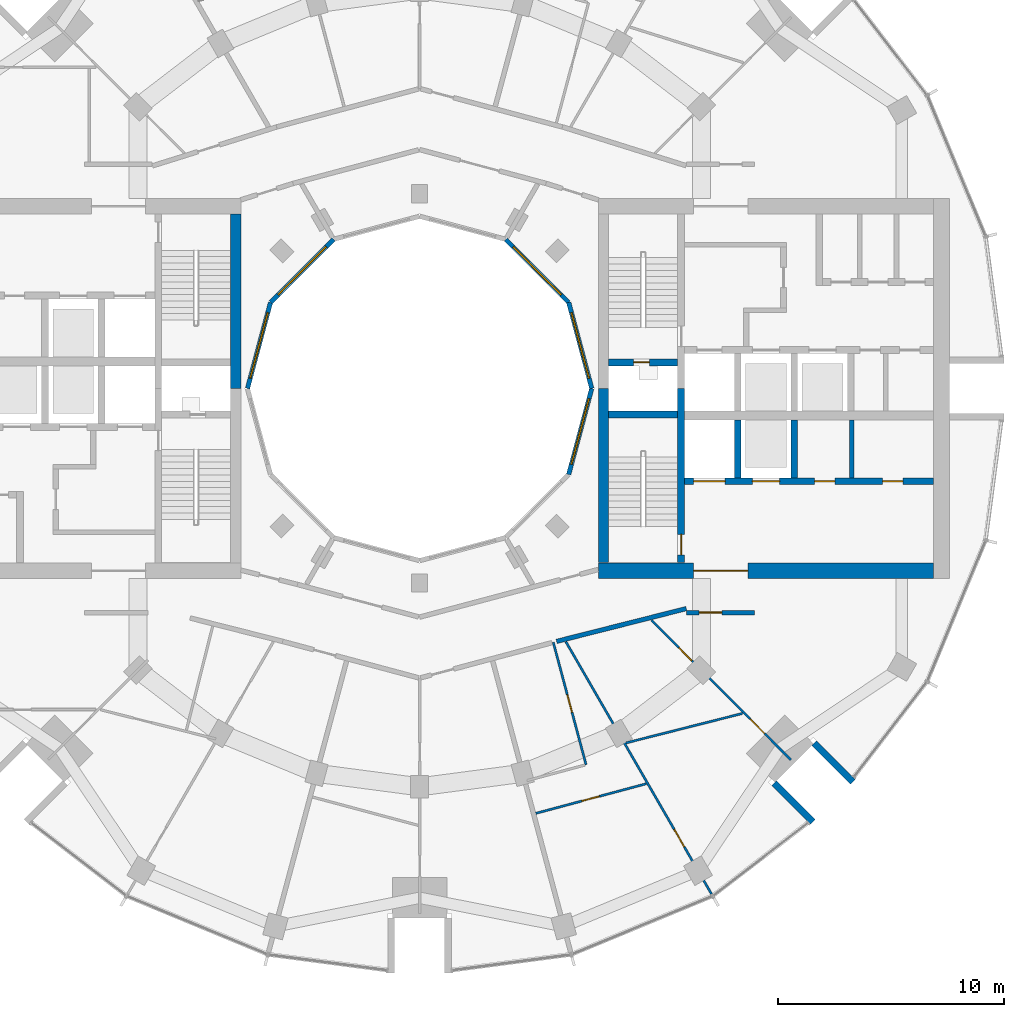
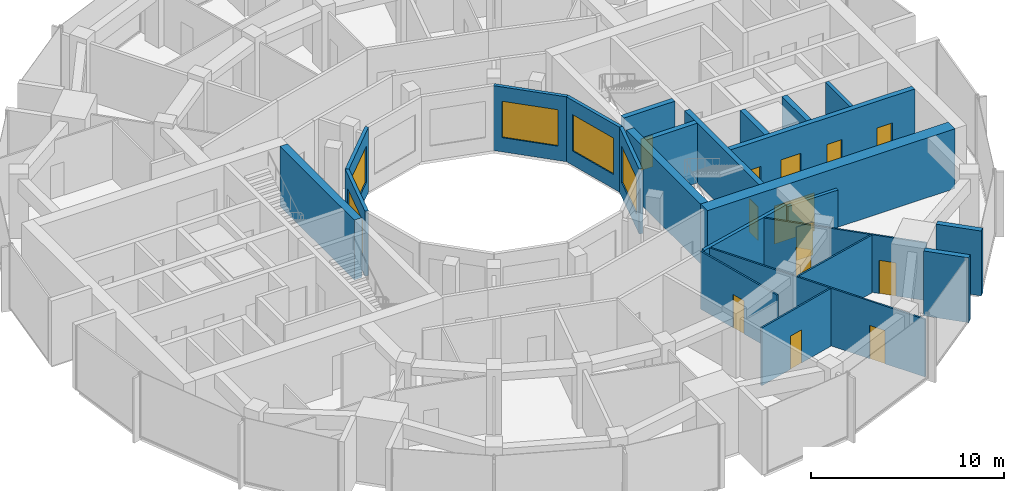
# One storey, part 10 of 15: 24 walls, 13 doors, 5 windows, 18 openings.
"""IFC4 building model written with IfcOpenShell, lengths in metres."""

from ifc_helpers import new_model, si_unit, direction, frame, frame_2d, origin, place, context, subcontext, project, spatial, rectangle, extrude, material, layer, layer_set, type_object, element, fill, save


model = new_model("IFC4")

# Units and contexts
model_context = context("Model", 3, precision=1e-05, world=origin(), true_north=direction((0.0, 1.0)))
body_context = subcontext(model_context, "Body", "Model", "MODEL_VIEW")
ifc_project = project(units=[si_unit("LENGTHUNIT", "METRE"), si_unit("AREAUNIT", "SQUARE_METRE"), si_unit("VOLUMEUNIT", "CUBIC_METRE"), si_unit("PLANEANGLEUNIT", "RADIAN"), si_unit("MASSUNIT", "GRAM", prefix="KILO")], contexts=[model_context])

# Site, building, storey
site_placement = place(None, origin())
site = spatial("IfcSite", under=ifc_project, at=site_placement, CompositionType="ELEMENT")
building_placement = place(site_placement, origin())
building = spatial("IfcBuilding", under=site, at=building_placement, Name="Torre Brocal", CompositionType="ELEMENT")
storey_placement = place(building_placement, frame((0.0, 0.0, 174.10009765625)))
storey = spatial("IfcBuildingStorey", under=building, at=storey_placement, Name="L40", CompositionType="ELEMENT", Elevation=174.10009765625)

# Wall
ifc_material_1 = material(Name="Masonry block", Category="masonry")
ifc_layer_1 = layer(ifc_material_1, 0.199951171875)
ifc_layer_set_1 = layer_set([ifc_layer_1], Name="Masonry block")
wall_type_1 = type_object("IfcWallType", Name="CORE PARTITION 200", PredefinedType="PARTITIONING", material=ifc_layer_set_1)
wall_1_placement = place(storey_placement, frame((99.10009765625, 71.050048828125, 0.0), z_axis=(0.0, 0.0, 1.0), x_axis=(0.0, 1.0, 0.0)))
element("IfcWall", 1, at=wall_1_placement, inside=storey, type_object=wall_type_1, Name="Wall CP200", PredefinedType="PARTITIONING", context=body_context, shape_type="SweptSolid", body=[
    extrude(rectangle(XDim=2.550048828125, YDim=0.199951171875, at=frame_2d((1.27490234375, 0.0))), origin(), (0.0, 0.0, 1.0), 3.77978515625),
])

# Wall, opening, door
ifc_material_2 = material(Name="Concrete C70", Category="concrete")
ifc_layer_2 = layer(ifc_material_2, 0.300048828125)
ifc_layer_set_2 = layer_set([ifc_layer_2], Name="Concrete C70")
wall_type_2 = type_object("IfcWallType", Name="CORE WALL 300 C70", PredefinedType="SHEAR", material=ifc_layer_set_2)
wall_2_placement = place(storey_placement, frame((91.550048828125, 67.300048828125, 0.0), z_axis=(0.0, 0.0, 1.0), x_axis=(0.0, 1.0, 0.0)))
wall_2 = element("IfcWall", 2, at=wall_2_placement, inside=storey, type_object=wall_type_2, Name="Wall CW300-70", PredefinedType="SHEAR", context=body_context, shape_type="SweptSolid", body=[
    extrude(rectangle(XDim=7.699951171875, YDim=0.300048828125, at=frame_2d((3.85009765625, 0.0))), origin(), (0.0, 0.0, 1.0), 3.77978515625),
])
opening_1_placement = place(wall_2_placement, frame((0.35009765625, 0.0, 0.0)))
opening_1 = element("IfcOpeningElement", 3, at=opening_1_placement, cuts=wall_2, Name="Opening E-D03", PredefinedType="OPENING", context=body_context, shape_type="SweptSolid", body=[
    extrude(rectangle(XDim=0.89990234375, YDim=2.10009765625, at=frame_2d((0.449951171875, 1.050048828125))), frame((0.0, 0.159912109375, 0.0), z_axis=(0.0, -1.0, 0.0), x_axis=(1.0, 0.0, 0.0)), (0.0, 0.0, 1.0), 0.320068359375),
])
ifc_material_3 = material(Name="Steel A653", Category="steel")
door_type_1 = type_object("IfcDoorType", Name="STAIR DOOR FD120 900X2100", OperationType="SINGLE_SWING_RIGHT", PredefinedType="DOOR", material=ifc_material_3)
door_1_placement = place(opening_1_placement, origin())
door_1 = element("IfcDoor", 4, at=door_1_placement, inside=storey, type_object=door_type_1, Name="Door E-D03", OperationType="SINGLE_SWING_LEFT", OverallHeight=2.10009765625, OverallWidth=0.89990234375, PredefinedType="DOOR", context=body_context, shape_type="SweptSolid", body=[
    extrude(rectangle(XDim=0.89990234375, YDim=2.10009765625, at=frame_2d((0.449951171875, 1.050048828125))), frame((0.0, 0.02490234375, 0.0), z_axis=(0.0, -1.0, 0.0), x_axis=(1.0, 0.0, 0.0)), (0.0, 0.0, 1.0), 0.050048828125),
])
fill(opening_1, door_1)

wall_3_placement = place(storey_placement, frame((88.35009765625, 76.14990234375, 0.0), z_axis=(0.0, 0.0, 1.0), x_axis=(1.0, 0.0, 0.0)))
wall_3 = element("IfcWall", 5, at=wall_3_placement, inside=storey, type_object=wall_type_2, Name="Wall CW300-70", PredefinedType="SHEAR", context=body_context, shape_type="SweptSolid", body=[
    extrude(rectangle(XDim=3.0498046875, YDim=0.300048828125, at=frame_2d((1.52490234375, 0.0))), origin(), (0.0, 0.0, 1.0), 3.77978515625),
])
opening_2_placement = place(wall_3_placement, frame((1.10009765625, 0.0, 0.0)))
opening_2 = element("IfcOpeningElement", 6, at=opening_2_placement, cuts=wall_3, Name="Opening E-D01", PredefinedType="OPENING", context=body_context, shape_type="SweptSolid", body=[
    extrude(rectangle(XDim=0.699951171875, YDim=2.0, at=frame_2d((0.35009765625, 1.0))), frame((0.0, 0.159912109375, 0.0), z_axis=(0.0, -1.0, 0.0), x_axis=(1.0, 0.0, 0.0)), (0.0, 0.0, 1.0), 0.320068359375),
])
ifc_material_4 = material(Name="Steel A653", Category="steel")
door_type_2 = type_object("IfcDoorType", Name="RISER DOOR FD120 700X2000", OperationType="SINGLE_SWING_LEFT", PredefinedType="DOOR", material=ifc_material_4)
door_2_placement = place(opening_2_placement, frame((0.699951171875, 0.0, 0.0), z_axis=(0.0, 0.0, 1.0), x_axis=(-1.0, 0.0, 0.0)))
door_2 = element("IfcDoor", 7, at=door_2_placement, inside=storey, type_object=door_type_2, Name="Door E-D01", OperationType="SINGLE_SWING_RIGHT", OverallHeight=2.0, OverallWidth=0.699951171875, PredefinedType="DOOR", context=body_context, shape_type="SweptSolid", body=[
    extrude(rectangle(XDim=0.699951171875, YDim=2.0, at=frame_2d((0.35009765625, 1.0))), frame((0.0, 0.02490234375, 0.0), z_axis=(0.0, -1.0, 0.0), x_axis=(1.0, 0.0, 0.0)), (0.0, 0.0, 1.0), 0.050048828125),
])
fill(opening_2, door_2)

# Wall
wall_4_placement = place(storey_placement, frame((88.35009765625, 73.85009765625, 0.0), z_axis=(0.0, 0.0, 1.0), x_axis=(1.0, 0.0, 0.0)))
element("IfcWall", 8, at=wall_4_placement, inside=storey, type_object=wall_type_2, Name="Wall CW300-70", PredefinedType="SHEAR", context=body_context, shape_type="SweptSolid", body=[
    extrude(rectangle(XDim=3.0498046875, YDim=0.300048828125, at=frame_2d((1.52490234375, 0.0))), origin(), (0.0, 0.0, 1.0), 3.77978515625),
])

# Wall, openings, doors
wall_5_placement = place(storey_placement, frame((91.699951171875, 70.89990234375, 0.0), z_axis=(0.0, 0.0, 1.0), x_axis=(1.0, 0.0, 0.0)))
wall_5 = element("IfcWall", 9, at=wall_5_placement, inside=storey, type_object=wall_type_2, Name="Wall CW300-70", PredefinedType="SHEAR", context=body_context, shape_type="SweptSolid", body=[
    extrude(rectangle(XDim=11.0, YDim=0.300048828125, at=frame_2d((5.5, 0.0))), origin(), (0.0, 0.0, 1.0), 3.77978515625),
])
opening_3_placement = place(wall_5_placement, frame((0.39990234375, 0.0, 0.0)))
opening_3 = element("IfcOpeningElement", 10, at=opening_3_placement, cuts=wall_5, Name="Opening LD14", PredefinedType="OPENING", context=body_context, shape_type="SweptSolid", body=[
    extrude(rectangle(XDim=1.39990234375, YDim=2.10009765625, at=frame_2d((0.699951171875, 1.050048828125))), frame((0.0, 0.159912109375, 0.0), z_axis=(0.0, -1.0, 0.0), x_axis=(1.0, 0.0, 0.0)), (0.0, 0.0, 1.0), 0.320068359375),
])
opening_4_placement = place(wall_5_placement, frame((3.0, 0.0, 0.0)))
opening_4 = element("IfcOpeningElement", 11, at=opening_4_placement, cuts=wall_5, Name="Opening LD12", PredefinedType="OPENING", context=body_context, shape_type="SweptSolid", body=[
    extrude(rectangle(XDim=1.199951171875, YDim=2.10009765625, at=frame_2d((0.60009765625, 1.050048828125))), frame((0.0, 0.159912109375, 0.0), z_axis=(0.0, -1.0, 0.0), x_axis=(1.0, 0.0, 0.0)), (0.0, 0.0, 1.0), 0.320068359375),
])
opening_5_placement = place(wall_5_placement, frame((5.75, 0.0, 0.0)))
opening_5 = element("IfcOpeningElement", 12, at=opening_5_placement, cuts=wall_5, Name="Opening E-D06", PredefinedType="OPENING", context=body_context, shape_type="SweptSolid", body=[
    extrude(rectangle(XDim=0.89990234375, YDim=2.10009765625, at=frame_2d((0.449951171875, 1.050048828125))), frame((0.0, 0.159912109375, 0.0), z_axis=(0.0, -1.0, 0.0), x_axis=(1.0, 0.0, 0.0)), (0.0, 0.0, 1.0), 0.320068359375),
])
opening_6_placement = place(wall_5_placement, frame((8.75, 0.0, 0.0)))
opening_6 = element("IfcOpeningElement", 13, at=opening_6_placement, cuts=wall_5, Name="Opening E-D07", PredefinedType="OPENING", context=body_context, shape_type="SweptSolid", body=[
    extrude(rectangle(XDim=0.89990234375, YDim=2.10009765625, at=frame_2d((0.449951171875, 1.050048828125))), frame((0.0, 0.159912109375, 0.0), z_axis=(0.0, -1.0, 0.0), x_axis=(1.0, 0.0, 0.0)), (0.0, 0.0, 1.0), 0.320068359375),
])
ifc_material_5 = material(Name="Stainless steel AISI 316", Category="steel")
door_type_3 = type_object("IfcDoorType", Name="LIFT LANDING DOOR 1200X2100", OperationType="DOUBLE_DOOR_SLIDING", PredefinedType="DOOR", material=ifc_material_5)
door_3_placement = place(opening_4_placement, origin())
door_3 = element("IfcDoor", 14, at=door_3_placement, inside=storey, type_object=door_type_3, Name="Door LD12", OperationType="DOUBLE_DOOR_SLIDING", OverallHeight=2.10009765625, OverallWidth=1.199951171875, PredefinedType="DOOR", context=body_context, shape_type="SweptSolid", body=[
    extrude(rectangle(XDim=1.199951171875, YDim=2.10009765625, at=frame_2d((0.60009765625, 1.050048828125))), frame((0.0, 0.02490234375, 0.0), z_axis=(0.0, -1.0, 0.0), x_axis=(1.0, 0.0, 0.0)), (0.0, 0.0, 1.0), 0.050048828125),
])
fill(opening_4, door_3)
ifc_material_6 = material(Name="Stainless steel AISI 316", Category="steel")
door_type_4 = type_object("IfcDoorType", Name="LIFT LANDING DOOR 1400X2100", OperationType="DOUBLE_DOOR_SLIDING", PredefinedType="DOOR", material=ifc_material_6)
door_4_placement = place(opening_3_placement, origin())
door_4 = element("IfcDoor", 15, at=door_4_placement, inside=storey, type_object=door_type_4, Name="Door LD14", OperationType="DOUBLE_DOOR_SLIDING", OverallHeight=2.10009765625, OverallWidth=1.39990234375, PredefinedType="DOOR", context=body_context, shape_type="SweptSolid", body=[
    extrude(rectangle(XDim=1.39990234375, YDim=2.10009765625, at=frame_2d((0.699951171875, 1.050048828125))), frame((0.0, 0.02490234375, 0.0), z_axis=(0.0, -1.0, 0.0), x_axis=(1.0, 0.0, 0.0)), (0.0, 0.0, 1.0), 0.050048828125),
])
fill(opening_3, door_4)
ifc_material_7 = material(Name="Steel A653", Category="steel")
door_type_5 = type_object("IfcDoorType", Name="ROOM DOOR FD30S 900X2100", OperationType="SINGLE_SWING_LEFT", PredefinedType="DOOR", material=ifc_material_7)
door_5_placement = place(opening_5_placement, origin())
door_5 = element("IfcDoor", 16, at=door_5_placement, inside=storey, type_object=door_type_5, Name="Door E-D06", OperationType="SINGLE_SWING_RIGHT", OverallHeight=2.10009765625, OverallWidth=0.89990234375, PredefinedType="DOOR", context=body_context, shape_type="SweptSolid", body=[
    extrude(rectangle(XDim=0.89990234375, YDim=2.10009765625, at=frame_2d((0.449951171875, 1.050048828125))), frame((0.0, 0.02490234375, 0.0), z_axis=(0.0, -1.0, 0.0), x_axis=(1.0, 0.0, 0.0)), (0.0, 0.0, 1.0), 0.050048828125),
])
fill(opening_5, door_5)
door_6_placement = place(opening_6_placement, origin())
door_6 = element("IfcDoor", 17, at=door_6_placement, inside=storey, type_object=door_type_5, Name="Door E-D07", OperationType="SINGLE_SWING_LEFT", OverallHeight=2.10009765625, OverallWidth=0.89990234375, PredefinedType="DOOR", context=body_context, shape_type="SweptSolid", body=[
    extrude(rectangle(XDim=0.89990234375, YDim=2.10009765625, at=frame_2d((0.449951171875, 1.050048828125))), frame((0.0, 0.02490234375, 0.0), z_axis=(0.0, -1.0, 0.0), x_axis=(1.0, 0.0, 0.0)), (0.0, 0.0, 1.0), 0.050048828125),
])
fill(opening_6, door_6)

# Walls
for number, where, z_axis, x_axis, name in (
    (18, (94.050048828125, 71.050048828125, 0.0), (0.0, 0.0, 1.0), (0.0, 1.0, 0.0), "Wall CW300-70"),
    (19, (96.550048828125, 71.050048828125, 0.0), (0.0, 0.0, 1.0), (0.0, 1.0, 0.0), "Wall CW300-70"),
):
    element("IfcWall", number, at=place(storey_placement, frame(where, z_axis=z_axis, x_axis=x_axis)), inside=storey, type_object=wall_type_2, Name=name, PredefinedType="SHEAR", context=body_context, shape_type="SweptSolid", body=[
        extrude(rectangle(XDim=2.550048828125, YDim=0.300048828125, at=frame_2d((1.27490234375, 0.0))), origin(), (0.0, 0.0, 1.0), 3.77978515625),
    ])
ifc_material_8 = material(Name="Concrete C70", Category="concrete")
ifc_layer_3 = layer(ifc_material_8, 0.449951171875)
ifc_layer_set_3 = layer_set([ifc_layer_3], Name="Concrete C70")
wall_type_3 = type_object("IfcWallType", Name="CORE WALL 450 C70", PredefinedType="SHEAR", material=ifc_layer_set_3)
for number, where, z_axis, x_axis, name in (
    (20, (88.125, 67.300048828125, 0.0), (0.0, 0.0, 1.0), (0.0, 1.0, 0.0), "Wall CW450-70"),
    (21, (71.875, 82.699951171875, 0.0), (0.0, 0.0, 1.0), (0.0, -1.0, 0.0), "Wall CW450-70"),
):
    element("IfcWall", number, at=place(storey_placement, frame(where, z_axis=z_axis, x_axis=x_axis)), inside=storey, type_object=wall_type_3, Name=name, PredefinedType="SHEAR", context=body_context, shape_type="SweptSolid", body=[
        extrude(rectangle(XDim=7.699951171875, YDim=0.449951171875, at=frame_2d((3.85009765625, 0.0))), origin(), (0.0, 0.0, 1.0), 3.77978515625),
    ])

# Wall, opening, door
ifc_material_9 = material(Name="Concrete C70", Category="concrete")
ifc_layer_4 = layer(ifc_material_9, 0.699951171875)
ifc_layer_set_4 = layer_set([ifc_layer_4], Name="Concrete C70")
wall_type_4 = type_object("IfcWallType", Name="CORE WALL 700 C70", PredefinedType="SHEAR", material=ifc_layer_set_4)
wall_6_placement = place(storey_placement, frame((87.89990234375, 66.949951171875, 0.0), z_axis=(0.0, 0.0, 1.0), x_axis=(1.0, 0.0, 0.0)))
wall_6 = element("IfcWall", 22, at=wall_6_placement, inside=storey, type_object=wall_type_4, Name="Wall CW700-70", PredefinedType="SHEAR", context=body_context, shape_type="SweptSolid", body=[
    extrude(rectangle(XDim=14.800048828125, YDim=0.699951171875, at=frame_2d((7.39990234375, 0.0))), origin(), (0.0, 0.0, 1.0), 3.77978515625),
])
opening_7_placement = place(wall_6_placement, frame((4.199951171875, 0.0, 0.0)))
opening_7 = element("IfcOpeningElement", 23, at=opening_7_placement, cuts=wall_6, Name="Opening E-D13", PredefinedType="OPENING", context=body_context, shape_type="SweptSolid", body=[
    extrude(rectangle(XDim=2.39990234375, YDim=2.39990234375, at=frame_2d((1.199951171875, 1.199951171875))), frame((0.0, 0.35986328125, 0.0), z_axis=(0.0, -1.0, 0.0), x_axis=(1.0, 0.0, 0.0)), (0.0, 0.0, 1.0), 0.719970703125),
])
ifc_material_10 = material(Name="Steel A653", Category="steel")
door_type_6 = type_object("IfcDoorType", Name="DOUBLE FIRE DOOR FD90 2400X2400", OperationType="DOUBLE_DOOR_SINGLE_SWING", PredefinedType="DOOR", material=ifc_material_10)
door_7_placement = place(opening_7_placement, origin())
door_7 = element("IfcDoor", 24, at=door_7_placement, inside=storey, type_object=door_type_6, Name="Door E-D13", OperationType="DOUBLE_DOOR_SINGLE_SWING", OverallHeight=2.39990234375, OverallWidth=2.39990234375, PredefinedType="DOOR", context=body_context, shape_type="SweptSolid", body=[
    extrude(rectangle(XDim=2.39990234375, YDim=2.39990234375, at=frame_2d((1.199951171875, 1.199951171875))), frame((0.0, 0.02490234375, 0.0), z_axis=(0.0, -1.0, 0.0), x_axis=(1.0, 0.0, 0.0)), (0.0, 0.0, 1.0), 0.050048828125),
])
fill(opening_7, door_7)

# Walls
ifc_material_11 = material(Name="Concrete C70", Category="concrete")
ifc_layer_5 = layer(ifc_material_11, 0.300048828125)
ifc_layer_set_5 = layer_set([ifc_layer_5], Name="Concrete C70")
wall_type_5 = type_object("IfcWallType", Name="NOTCH RETURN WALL 300 C70", PredefinedType="NOTDEFINED", material=ifc_layer_set_5)
for number, where, z_axis, x_axis, name in (
    (25, (95.662353515625, 57.56982421875, 0.0), (0.0, 0.0, 1.0), (0.707106781187, -0.707106781187, 0.0), "NOTCH RETURN WALL"),
    (26, (97.43017578125, 59.337646484375, 0.0), (0.0, 0.0, 1.0), (0.707106781187, -0.707106781187, 0.0), "NOTCH RETURN WALL"),
):
    element("IfcWall", number, at=place(storey_placement, frame(where, z_axis=z_axis, x_axis=x_axis)), inside=storey, type_object=wall_type_5, Name=name, PredefinedType="NOTDEFINED", context=body_context, shape_type="SweptSolid", body=[
        extrude(rectangle(XDim=2.415771484375, YDim=0.300048828125, at=frame_2d((1.2080078125, 0.0))), origin(), (0.0, 0.0, 1.0), 4.099853515625),
    ])

# Wall, opening, door
ifc_material_12 = material(Name="Gypsum board", Category="Gypsum")
ifc_layer_6 = layer(ifc_material_12, 0.10009765625)
ifc_layer_set_6 = layer_set([ifc_layer_6], Name="Gypsum board")
wall_type_6 = type_object("IfcWallType", Name="PARTITION 100", PredefinedType="PARTITIONING", material=ifc_layer_set_6)
wall_7_placement = place(storey_placement, frame((85.133544921875, 56.22900390625, 0.0), z_axis=(0.0, 0.0, 1.0), x_axis=(0.965894130068, 0.258937308051, 0.0)))
wall_7 = element("IfcWall", 27, at=wall_7_placement, inside=storey, type_object=wall_type_6, Name="BATHROOM WALL", PredefinedType="PARTITIONING", context=body_context, shape_type="SweptSolid", body=[
    extrude(rectangle(XDim=5.0537109375, YDim=0.10009765625, at=frame_2d((2.52685546875, 0.0))), origin(), (0.0, 0.0, 1.0), 3.64990234375),
])
opening_8_placement = place(wall_7_placement, frame((2.10693359375, 0.0, 0.0)))
opening_8 = element("IfcOpeningElement", 28, at=opening_8_placement, cuts=wall_7, Name="Opening R02-D24", PredefinedType="OPENING", context=body_context, shape_type="SweptSolid", body=[
    extrude(rectangle(XDim=0.800048828125, YDim=2.10009765625, at=frame_2d((0.39990234375, 1.050048828125))), frame((0.0, 0.06005859375, 0.0), z_axis=(0.0, -1.0, 0.0), x_axis=(1.0, 0.0, 0.0)), (0.0, 0.0, 1.0), 0.1201171875),
])
ifc_material_13 = material(Name="Timber", Category="wood")
door_type_7 = type_object("IfcDoorType", Name="BATHROOM DOOR 800X2100", OperationType="SINGLE_SWING_LEFT", PredefinedType="DOOR", material=ifc_material_13)
door_8_placement = place(opening_8_placement, frame((0.800048828125, 0.0, 0.0), z_axis=(0.0, 0.0, 1.0), x_axis=(-1.0, 0.0, 0.0)))
door_8 = element("IfcDoor", 29, at=door_8_placement, inside=storey, type_object=door_type_7, Name="R02-D24", OperationType="SINGLE_SWING_RIGHT", OverallHeight=2.10009765625, OverallWidth=0.800048828125, PredefinedType="DOOR", context=body_context, shape_type="SweptSolid", body=[
    extrude(rectangle(XDim=0.800048828125, YDim=2.10009765625, at=frame_2d((0.39990234375, 1.050048828125))), frame((0.0, 0.02490234375, 0.0), z_axis=(0.0, -1.0, 0.0), x_axis=(1.0, 0.0, 0.0)), (0.0, 0.0, 1.0), 0.050048828125),
])
fill(opening_8, door_8)

wall_8_placement = place(storey_placement, frame((85.904052734375, 63.785888671875, 0.0), z_axis=(0.0, 0.0, 1.0), x_axis=(0.258761510459, -0.965941240814, 0.0)))
wall_8 = element("IfcWall", 30, at=wall_8_placement, inside=storey, type_object=wall_type_6, Name="BATHROOM WALL", PredefinedType="PARTITIONING", context=body_context, shape_type="SweptSolid", body=[
    extrude(rectangle(XDim=5.599609375, YDim=0.10009765625, at=frame_2d((2.7998046875, 0.0))), origin(), (0.0, 0.0, 1.0), 3.64990234375),
])
opening_9_placement = place(wall_8_placement, frame((2.39990234375, 0.0, 0.0)))
opening_9 = element("IfcOpeningElement", 31, at=opening_9_placement, cuts=wall_8, Name="Opening R02-D23", PredefinedType="OPENING", context=body_context, shape_type="SweptSolid", body=[
    extrude(rectangle(XDim=0.800048828125, YDim=2.10009765625, at=frame_2d((0.39990234375, 1.050048828125))), frame((0.0, 0.06005859375, 0.0), z_axis=(0.0, -1.0, 0.0), x_axis=(1.0, 0.0, 0.0)), (0.0, 0.0, 1.0), 0.1201171875),
])
door_9_placement = place(opening_9_placement, frame((0.800048828125, 0.0, 0.0), z_axis=(0.0, 0.0, 1.0), x_axis=(-1.0, 0.0, 0.0)))
door_9 = element("IfcDoor", 32, at=door_9_placement, inside=storey, type_object=door_type_7, Name="R02-D23", OperationType="SINGLE_SWING_RIGHT", OverallHeight=2.10009765625, OverallWidth=0.800048828125, PredefinedType="DOOR", context=body_context, shape_type="SweptSolid", body=[
    extrude(rectangle(XDim=0.800048828125, YDim=2.10009765625, at=frame_2d((0.39990234375, 1.050048828125))), frame((0.0, 0.02490234375, 0.0), z_axis=(0.0, -1.0, 0.0), x_axis=(1.0, 0.0, 0.0)), (0.0, 0.0, 1.0), 0.050048828125),
])
fill(opening_9, door_9)

wall_9_placement = place(storey_placement, frame((86.461181640625, 63.81005859375, 0.0), z_axis=(0.0, 0.0, 1.0), x_axis=(0.49994840431, -0.866055190521, 0.0)))
wall_9 = element("IfcWall", 33, at=wall_9_placement, inside=storey, type_object=wall_type_6, Name="BATHROOM WALL", PredefinedType="PARTITIONING", context=body_context, shape_type="SweptSolid", body=[
    extrude(rectangle(XDim=12.876220703125, YDim=0.10009765625, at=frame_2d((6.43798828125, 0.0))), origin(), (0.0, 0.0, 1.0), 3.64990234375),
])
opening_10_placement = place(wall_9_placement, frame((9.565185546875, 0.0, 0.0)))
opening_10 = element("IfcOpeningElement", 34, at=opening_10_placement, cuts=wall_9, Name="Opening R02-D22", PredefinedType="OPENING", context=body_context, shape_type="SweptSolid", body=[
    extrude(rectangle(XDim=0.89990234375, YDim=2.10009765625, at=frame_2d((0.449951171875, 1.050048828125))), frame((0.0, 0.06005859375, 0.0), z_axis=(0.0, -1.0, 0.0), x_axis=(1.0, 0.0, 0.0)), (0.0, 0.0, 1.0), 0.1201171875),
])
ifc_material_14 = material(Name="Timber", Category="wood")
door_type_8 = type_object("IfcDoorType", Name="ROOM DOOR 900X2100", OperationType="SINGLE_SWING_LEFT", PredefinedType="DOOR", material=ifc_material_14)
door_10_placement = place(opening_10_placement, origin())
door_10 = element("IfcDoor", 35, at=door_10_placement, inside=storey, type_object=door_type_8, Name="R02-D22", OperationType="SINGLE_SWING_RIGHT", OverallHeight=2.10009765625, OverallWidth=0.89990234375, PredefinedType="DOOR", context=body_context, shape_type="SweptSolid", body=[
    extrude(rectangle(XDim=0.89990234375, YDim=2.10009765625, at=frame_2d((0.449951171875, 1.050048828125))), frame((0.0, 0.02490234375, 0.0), z_axis=(0.0, -1.0, 0.0), x_axis=(1.0, 0.0, 0.0)), (0.0, 0.0, 1.0), 0.050048828125),
])
fill(opening_10, door_10)

# Wall
wall_10_placement = place(storey_placement, frame((89.109130859375, 59.338623046875, 0.0), z_axis=(0.0, 0.0, 1.0), x_axis=(0.969449434389, 0.245291243552, 0.0)))
element("IfcWall", 36, at=wall_10_placement, inside=storey, type_object=wall_type_6, Name="BATHROOM WALL", PredefinedType="PARTITIONING", context=body_context, shape_type="SweptSolid", body=[
    extrude(rectangle(XDim=5.31396484375, YDim=0.10009765625, at=frame_2d((2.656982421875, 0.0))), origin(), (0.0, 0.0, 1.0), 3.64990234375),
])

# Wall, openings, doors
wall_11_placement = place(storey_placement, frame((90.238037109375, 64.760009765625, 0.0), z_axis=(0.0, 0.0, 1.0), x_axis=(0.707022780144, -0.707190772251, 0.0)))
wall_11 = element("IfcWall", 37, at=wall_11_placement, inside=storey, type_object=wall_type_6, Name="BATHROOM WALL", PredefinedType="PARTITIONING", context=body_context, shape_type="SweptSolid", body=[
    extrude(rectangle(XDim=8.7197265625, YDim=0.10009765625, at=frame_2d((4.35986328125, 0.0))), origin(), (0.0, 0.0, 1.0), 3.64990234375),
])
opening_11_placement = place(wall_11_placement, frame((6.172119140625, 0.0, 0.0)))
opening_11 = element("IfcOpeningElement", 38, at=opening_11_placement, cuts=wall_11, Name="Opening R02-D20", PredefinedType="OPENING", context=body_context, shape_type="SweptSolid", body=[
    extrude(rectangle(XDim=0.89990234375, YDim=2.10009765625, at=frame_2d((0.449951171875, 1.050048828125))), frame((0.0, 0.06005859375, 0.0), z_axis=(0.0, -1.0, 0.0), x_axis=(1.0, 0.0, 0.0)), (0.0, 0.0, 1.0), 0.1201171875),
])
opening_12_placement = place(wall_11_placement, frame((1.722412109375, 0.0, 0.0)))
opening_12 = element("IfcOpeningElement", 39, at=opening_12_placement, cuts=wall_11, Name="Opening R02-D21", PredefinedType="OPENING", context=body_context, shape_type="SweptSolid", body=[
    extrude(rectangle(XDim=0.800048828125, YDim=2.10009765625, at=frame_2d((0.39990234375, 1.050048828125))), frame((0.0, 0.06005859375, 0.0), z_axis=(0.0, -1.0, 0.0), x_axis=(1.0, 0.0, 0.0)), (0.0, 0.0, 1.0), 0.1201171875),
])
door_11_placement = place(opening_12_placement, frame((0.800048828125, 0.0, 0.0), z_axis=(0.0, 0.0, 1.0), x_axis=(-1.0, 0.0, 0.0)))
door_11 = element("IfcDoor", 40, at=door_11_placement, inside=storey, type_object=door_type_7, Name="R02-D21", OperationType="SINGLE_SWING_RIGHT", OverallHeight=2.10009765625, OverallWidth=0.800048828125, PredefinedType="DOOR", context=body_context, shape_type="SweptSolid", body=[
    extrude(rectangle(XDim=0.800048828125, YDim=2.10009765625, at=frame_2d((0.39990234375, 1.050048828125))), frame((0.0, 0.02490234375, 0.0), z_axis=(0.0, -1.0, 0.0), x_axis=(1.0, 0.0, 0.0)), (0.0, 0.0, 1.0), 0.050048828125),
])
fill(opening_12, door_11)
door_12_placement = place(opening_11_placement, origin())
door_12 = element("IfcDoor", 41, at=door_12_placement, inside=storey, type_object=door_type_8, Name="R02-D20", OperationType="SINGLE_SWING_RIGHT", OverallHeight=2.10009765625, OverallWidth=0.89990234375, PredefinedType="DOOR", context=body_context, shape_type="SweptSolid", body=[
    extrude(rectangle(XDim=0.89990234375, YDim=2.10009765625, at=frame_2d((0.449951171875, 1.050048828125))), frame((0.0, 0.02490234375, 0.0), z_axis=(0.0, -1.0, 0.0), x_axis=(1.0, 0.0, 0.0)), (0.0, 0.0, 1.0), 0.050048828125),
])
fill(opening_11, door_12)

# Wall
ifc_material_15 = material(Name="Gypsum board", Category="Gypsum")
ifc_layer_7 = layer(ifc_material_15, 0.199951171875)
ifc_layer_set_7 = layer_set([ifc_layer_7], Name="Gypsum board")
wall_type_7 = type_object("IfcWallType", Name="PARTITION 200 EI60", PredefinedType="PARTITIONING", material=ifc_layer_set_7)
wall_12_placement = place(storey_placement, frame((86.052978515625, 63.826171875, 0.0), z_axis=(0.0, 0.0, 1.0), x_axis=(0.969490004987, 0.245130843083, 0.0)))
element("IfcWall", 42, at=wall_12_placement, inside=storey, type_object=wall_type_7, Name="FLAT ENTRANCE WALL", PredefinedType="PARTITIONING", context=body_context, shape_type="SweptSolid", body=[
    extrude(rectangle(XDim=5.907958984375, YDim=0.199951171875, at=frame_2d((2.9541015625, 0.0))), origin(), (0.0, 0.0, 1.0), 3.64990234375),
])

# Wall, opening, door
wall_13_placement = place(storey_placement, frame((91.800048828125, 65.10009765625, 0.0), z_axis=(0.0, 0.0, 1.0), x_axis=(1.0, 0.0, 0.0)))
wall_13 = element("IfcWall", 43, at=wall_13_placement, inside=storey, type_object=wall_type_7, Name="FLAT ENTRANCE WALL", PredefinedType="PARTITIONING", context=body_context, shape_type="SweptSolid", body=[
    extrude(rectangle(XDim=3.0, YDim=0.199951171875, at=frame_2d((1.5, 0.0))), origin(), (0.0, 0.0, 1.0), 3.64990234375),
])
opening_13_placement = place(wall_13_placement, frame((0.550048828125, 0.0, 0.0)))
opening_13 = element("IfcOpeningElement", 44, at=opening_13_placement, cuts=wall_13, Name="Opening R02-D19", PredefinedType="OPENING", context=body_context, shape_type="SweptSolid", body=[
    extrude(rectangle(XDim=1.0, YDim=2.10009765625, at=frame_2d((0.5, 1.050048828125))), frame((0.0, 0.10986328125, 0.0), z_axis=(0.0, -1.0, 0.0), x_axis=(1.0, 0.0, 0.0)), (0.0, 0.0, 1.0), 0.219970703125),
])
ifc_material_16 = material(Name="Timber", Category="wood")
door_type_9 = type_object("IfcDoorType", Name="FLAT ENTRY DOOR FD30S 1000X2100", OperationType="SINGLE_SWING_RIGHT", PredefinedType="DOOR", material=ifc_material_16)
door_13_placement = place(opening_13_placement, frame((1.0, 0.0, 0.0), z_axis=(0.0, 0.0, 1.0), x_axis=(-1.0, 0.0, 0.0)))
door_13 = element("IfcDoor", 45, at=door_13_placement, inside=storey, type_object=door_type_9, Name="R02-D19", OperationType="SINGLE_SWING_RIGHT", OverallHeight=2.10009765625, OverallWidth=1.0, PredefinedType="DOOR", context=body_context, shape_type="SweptSolid", body=[
    extrude(rectangle(XDim=1.0, YDim=2.10009765625, at=frame_2d((0.5, 1.050048828125))), frame((0.0, 0.02490234375, 0.0), z_axis=(0.0, -1.0, 0.0), x_axis=(1.0, 0.0, 0.0)), (0.0, 0.0, 1.0), 0.050048828125),
])
fill(opening_13, door_13)

# Wall, opening, window
ifc_material_17 = material(Name="Concrete C40", Category="concrete")
ifc_layer_8 = layer(ifc_material_17, 0.199951171875)
ifc_layer_set_8 = layer_set([ifc_layer_8], Name="Concrete C40")
wall_type_8 = type_object("IfcWallType", Name="WELL FACADE WALL 200", PredefinedType="NOTDEFINED", material=ifc_layer_set_8)
wall_14_placement = place(storey_placement, frame((87.603515625, 75.0, 0.0), z_axis=(0.0, 0.0, 1.0), x_axis=(-0.258789828301, 0.965933654434, 0.0)))
wall_14 = element("IfcWall", 46, at=wall_14_placement, inside=storey, type_object=wall_type_8, Name="WELL FACADE WALL", PredefinedType="NOTDEFINED", context=body_context, shape_type="SweptSolid", body=[
    extrude(rectangle(XDim=3.935791015625, YDim=0.199951171875, at=frame_2d((1.9677734375, 0.0))), origin(), (0.0, 0.0, 1.0), 4.099853515625),
])
opening_14_placement = place(wall_14_placement, frame((0.468017578125, 0.0, 0.89990234375)))
opening_14 = element("IfcOpeningElement", 47, at=opening_14_placement, cuts=wall_14, Name="Opening W1", PredefinedType="OPENING", context=body_context, shape_type="SweptSolid", body=[
    extrude(rectangle(XDim=3.0, YDim=2.300048828125, at=frame_2d((1.5, 1.14990234375))), frame((0.0, 0.10986328125, 0.0), z_axis=(0.0, -1.0, 0.0), x_axis=(1.0, 0.0, 0.0)), (0.0, 0.0, 1.0), 0.219970703125),
])
ifc_material_18 = material(Name="Aluminium and glass", Category="aluminium")
window_type = type_object("IfcWindowType", Name="WELL WINDOW 3000X2300", PartitioningType="SINGLE_PANEL", PredefinedType="WINDOW", material=ifc_material_18)
window_1_placement = place(opening_14_placement, origin())
window_1 = element("IfcWindow", 48, at=window_1_placement, inside=storey, type_object=window_type, Name="WELL WINDOW 3000X2300", OverallHeight=2.300048828125, OverallWidth=3.0, PartitioningType="SINGLE_PANEL", PredefinedType="WINDOW", context=body_context, shape_type="SweptSolid", body=[
    extrude(rectangle(XDim=3.0, YDim=2.300048828125, at=frame_2d((1.5, 1.14990234375))), frame((0.0, 0.030029296875, 0.0), z_axis=(0.0, -1.0, 0.0), x_axis=(1.0, 0.0, 0.0)), (0.0, 0.0, 1.0), 0.06005859375),
])
fill(opening_14, window_1)

wall_15_placement = place(storey_placement, frame((86.5849609375, 78.8017578125, 0.0), z_axis=(0.0, 0.0, 1.0), x_axis=(-0.707106781187, 0.707106781187, 0.0)))
wall_15 = element("IfcWall", 49, at=wall_15_placement, inside=storey, type_object=wall_type_8, Name="WELL FACADE WALL", PredefinedType="NOTDEFINED", context=body_context, shape_type="SweptSolid", body=[
    extrude(rectangle(XDim=3.93603515625, YDim=0.199951171875, at=frame_2d((1.968017578125, 0.0))), origin(), (0.0, 0.0, 1.0), 4.099853515625),
])
opening_15_placement = place(wall_15_placement, frame((0.468017578125, 0.0, 0.89990234375)))
opening_15 = element("IfcOpeningElement", 50, at=opening_15_placement, cuts=wall_15, Name="Opening W1", PredefinedType="OPENING", context=body_context, shape_type="SweptSolid", body=[
    extrude(rectangle(XDim=3.0, YDim=2.300048828125, at=frame_2d((1.5, 1.14990234375))), frame((0.0, 0.10986328125, 0.0), z_axis=(0.0, -1.0, 0.0), x_axis=(1.0, 0.0, 0.0)), (0.0, 0.0, 1.0), 0.219970703125),
])
window_2_placement = place(opening_15_placement, origin())
window_2 = element("IfcWindow", 51, at=window_2_placement, inside=storey, type_object=window_type, Name="WELL WINDOW 3000X2300", OverallHeight=2.300048828125, OverallWidth=3.0, PartitioningType="SINGLE_PANEL", PredefinedType="WINDOW", context=body_context, shape_type="SweptSolid", body=[
    extrude(rectangle(XDim=3.0, YDim=2.300048828125, at=frame_2d((1.5, 1.14990234375))), frame((0.0, 0.030029296875, 0.0), z_axis=(0.0, -1.0, 0.0), x_axis=(1.0, 0.0, 0.0)), (0.0, 0.0, 1.0), 0.06005859375),
])
fill(opening_15, window_2)

wall_16_placement = place(storey_placement, frame((76.1982421875, 81.5849609375, 0.0), z_axis=(0.0, 0.0, 1.0), x_axis=(-0.707106781187, -0.707106781187, 0.0)))
wall_16 = element("IfcWall", 52, at=wall_16_placement, inside=storey, type_object=wall_type_8, Name="WELL FACADE WALL", PredefinedType="NOTDEFINED", context=body_context, shape_type="SweptSolid", body=[
    extrude(rectangle(XDim=3.93603515625, YDim=0.199951171875, at=frame_2d((1.968017578125, 0.0))), origin(), (0.0, 0.0, 1.0), 4.099853515625),
])
opening_16_placement = place(wall_16_placement, frame((0.468017578125, 0.0, 0.89990234375)))
opening_16 = element("IfcOpeningElement", 53, at=opening_16_placement, cuts=wall_16, Name="Opening W1", PredefinedType="OPENING", context=body_context, shape_type="SweptSolid", body=[
    extrude(rectangle(XDim=3.0, YDim=2.300048828125, at=frame_2d((1.5, 1.14990234375))), frame((0.0, 0.10986328125, 0.0), z_axis=(0.0, -1.0, 0.0), x_axis=(1.0, 0.0, 0.0)), (0.0, 0.0, 1.0), 0.219970703125),
])
window_3_placement = place(opening_16_placement, origin())
window_3 = element("IfcWindow", 54, at=window_3_placement, inside=storey, type_object=window_type, Name="WELL WINDOW 3000X2300", OverallHeight=2.300048828125, OverallWidth=3.0, PartitioningType="SINGLE_PANEL", PredefinedType="WINDOW", context=body_context, shape_type="SweptSolid", body=[
    extrude(rectangle(XDim=3.0, YDim=2.300048828125, at=frame_2d((1.5, 1.14990234375))), frame((0.0, 0.030029296875, 0.0), z_axis=(0.0, -1.0, 0.0), x_axis=(1.0, 0.0, 0.0)), (0.0, 0.0, 1.0), 0.06005859375),
])
fill(opening_16, window_3)

wall_17_placement = place(storey_placement, frame((73.4150390625, 78.8017578125, 0.0), z_axis=(0.0, 0.0, 1.0), x_axis=(-0.258789828301, -0.965933654434, 0.0)))
wall_17 = element("IfcWall", 55, at=wall_17_placement, inside=storey, type_object=wall_type_8, Name="WELL FACADE WALL", PredefinedType="NOTDEFINED", context=body_context, shape_type="SweptSolid", body=[
    extrude(rectangle(XDim=3.935791015625, YDim=0.199951171875, at=frame_2d((1.9677734375, 0.0))), origin(), (0.0, 0.0, 1.0), 4.099853515625),
])
opening_17_placement = place(wall_17_placement, frame((0.468017578125, 0.0, 0.89990234375)))
opening_17 = element("IfcOpeningElement", 56, at=opening_17_placement, cuts=wall_17, Name="Opening W1", PredefinedType="OPENING", context=body_context, shape_type="SweptSolid", body=[
    extrude(rectangle(XDim=3.0, YDim=2.300048828125, at=frame_2d((1.5, 1.14990234375))), frame((0.0, 0.10986328125, 0.0), z_axis=(0.0, -1.0, 0.0), x_axis=(1.0, 0.0, 0.0)), (0.0, 0.0, 1.0), 0.219970703125),
])
window_4_placement = place(opening_17_placement, origin())
window_4 = element("IfcWindow", 57, at=window_4_placement, inside=storey, type_object=window_type, Name="WELL WINDOW 3000X2300", OverallHeight=2.300048828125, OverallWidth=3.0, PartitioningType="SINGLE_PANEL", PredefinedType="WINDOW", context=body_context, shape_type="SweptSolid", body=[
    extrude(rectangle(XDim=3.0, YDim=2.300048828125, at=frame_2d((1.5, 1.14990234375))), frame((0.0, 0.030029296875, 0.0), z_axis=(0.0, -1.0, 0.0), x_axis=(1.0, 0.0, 0.0)), (0.0, 0.0, 1.0), 0.06005859375),
])
fill(opening_17, window_4)

wall_18_placement = place(storey_placement, frame((86.5849609375, 71.1982421875, 0.0), z_axis=(0.0, 0.0, 1.0), x_axis=(0.258789828301, 0.965933654434, 0.0)))
wall_18 = element("IfcWall", 58, at=wall_18_placement, inside=storey, type_object=wall_type_8, Name="WELL FACADE WALL", PredefinedType="NOTDEFINED", context=body_context, shape_type="SweptSolid", body=[
    extrude(rectangle(XDim=3.935791015625, YDim=0.199951171875, at=frame_2d((1.9677734375, 0.0))), origin(), (0.0, 0.0, 1.0), 4.099853515625),
])
opening_18_placement = place(wall_18_placement, frame((0.468017578125, 0.0, 0.89990234375)))
opening_18 = element("IfcOpeningElement", 59, at=opening_18_placement, cuts=wall_18, Name="Opening W1", PredefinedType="OPENING", context=body_context, shape_type="SweptSolid", body=[
    extrude(rectangle(XDim=3.0, YDim=2.300048828125, at=frame_2d((1.5, 1.14990234375))), frame((0.0, 0.10986328125, 0.0), z_axis=(0.0, -1.0, 0.0), x_axis=(1.0, 0.0, 0.0)), (0.0, 0.0, 1.0), 0.219970703125),
])
window_5_placement = place(opening_18_placement, origin())
window_5 = element("IfcWindow", 60, at=window_5_placement, inside=storey, type_object=window_type, Name="WELL WINDOW 3000X2300", OverallHeight=2.300048828125, OverallWidth=3.0, PartitioningType="SINGLE_PANEL", PredefinedType="WINDOW", context=body_context, shape_type="SweptSolid", body=[
    extrude(rectangle(XDim=3.0, YDim=2.300048828125, at=frame_2d((1.5, 1.14990234375))), frame((0.0, 0.030029296875, 0.0), z_axis=(0.0, -1.0, 0.0), x_axis=(1.0, 0.0, 0.0)), (0.0, 0.0, 1.0), 0.06005859375),
])
fill(opening_18, window_5)

save(model, "model.ifc")
